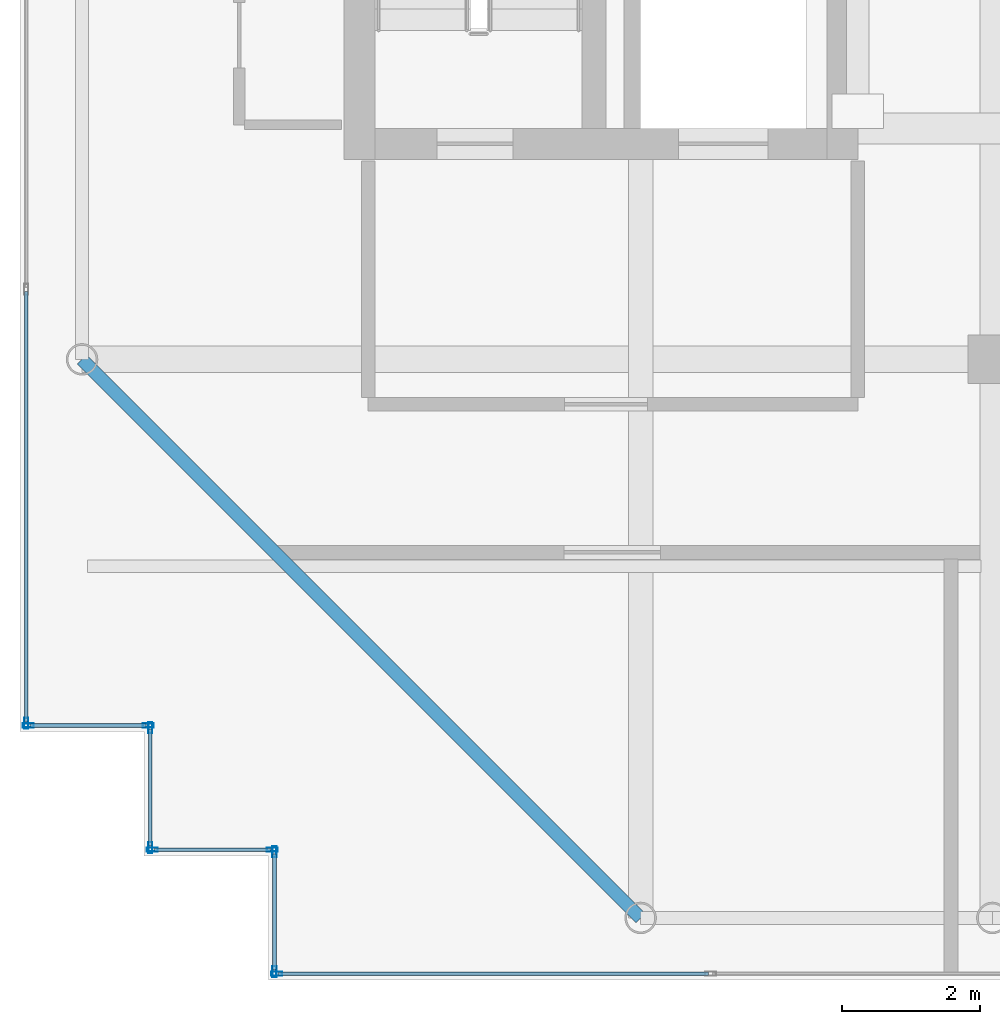
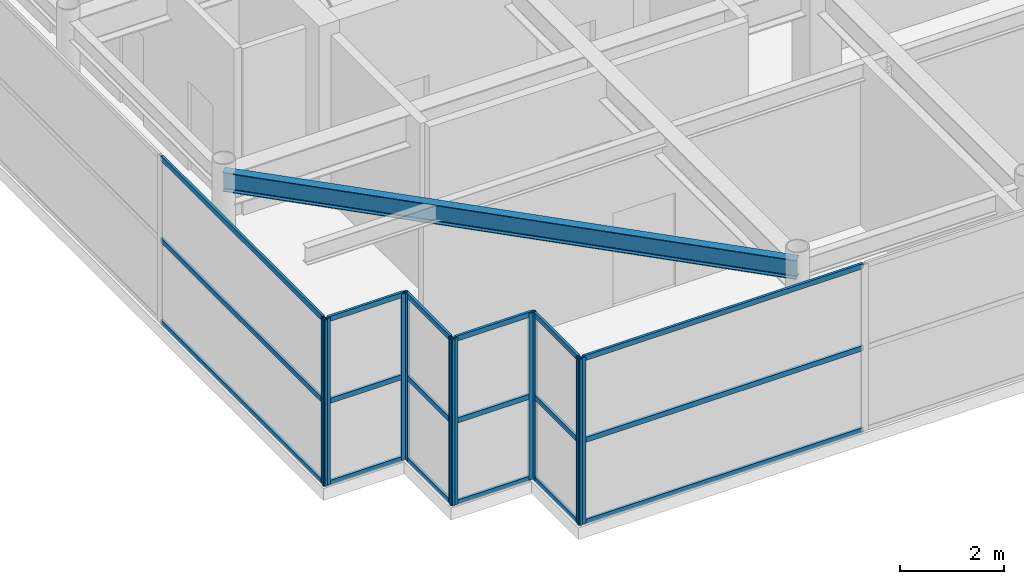
# One storey, part 2 of 33: 28 members, 1 beam, 6 elements without a shape of their own.
"""IFC4 building model written with IfcOpenShell, lengths in metres."""

from ifc_helpers import new_model, si_unit, direction, frame, origin, origin_2d, place, context, subcontext, project, spatial, hollow_rectangle, i_section, extrude, source, transform, mapped, material, layer, layer_set, material_profile, profile_set, type_object, element, aggregate, save


model = new_model("IFC4")

# Units and contexts
model_context = context("Model", 3, precision=1e-05, world=origin(), true_north=direction((0.0, 1.0)))
body_context = subcontext(model_context, "Body", "Model", "MODEL_VIEW")
ifc_project = project(units=[si_unit("LENGTHUNIT", "METRE"), si_unit("AREAUNIT", "SQUARE_METRE"), si_unit("VOLUMEUNIT", "CUBIC_METRE"), si_unit("PLANEANGLEUNIT", "RADIAN"), si_unit("MASSUNIT", "GRAM", prefix="KILO")], contexts=[model_context])

# Site, building, storey
site_placement = place(None, origin())
site = spatial("IfcSite", under=ifc_project, at=site_placement, CompositionType="ELEMENT")
building_placement = place(site_placement, origin())
building = spatial("IfcBuilding", under=site, at=building_placement, Name="Khoralis Quay Care Tower", CompositionType="ELEMENT")
storey_placement = place(building_placement, frame((0.0, 0.0, 302.10009765625)))
storey = spatial("IfcBuildingStorey", under=building, at=storey_placement, Name="L79", CompositionType="ELEMENT", Elevation=302.10009765625)

# Beam
ifc_material_1 = material(Name="Steel S355", Category="steel")
ifc_material_profile_1 = material_profile(ifc_material_1, i_section(OverallWidth=0.18994140625, OverallDepth=0.449951171875, WebThickness=0.009521484375, FlangeThickness=0.0146484375, FilletRadius=0.02099609375, at=origin_2d()), Name="Steel S355")
ifc_profile_set_1 = profile_set([ifc_material_profile_1], Name="Steel S355")
beam_type = type_object("IfcBeamType", Name="BM-IPE450", PredefinedType="SPANDREL", material=ifc_profile_set_1)
shared_shape_1 = source(origin(), body_context, "Body", "SweptSolid", [
    extrude(i_section(OverallWidth=0.18994140625, OverallDepth=0.449951171875, WebThickness=0.009521484375, FlangeThickness=0.0146484375, FilletRadius=0.02099609375, at=origin_2d()), origin(), (0.0, 0.0, 1.0), 11.455322265625),
])
beam_placement = place(storey_placement, frame((12.0, 3.89990234375, 3.69482421875), z_axis=(-0.707106781187, 0.707106781187, 0.0), x_axis=(-0.707106781187, -0.707106781187, 0.0)))
element("IfcBeam", 1, at=beam_placement, inside=storey, type_object=beam_type, Name="BM-TCR-L79-17", PredefinedType="SPANDREL", context=body_context, shape_type="MappedRepresentation", body=[
    mapped(shared_shape_1, transform((0.0, 0.0, 0.0), scale=1.0)),
])

# Curtain wall, members
ifc_material_2 = material(Name="Pale anodised aluminium", Category="aluminium")
ifc_layer = layer(ifc_material_2, 0.199951171875)
ifc_layer_set = layer_set([ifc_layer], Name="Pale anodised aluminium")
curtain_wall_type = type_object("IfcCurtainWallType", Name="CW-SYS-LANTERN", PredefinedType="NOTDEFINED", material=ifc_layer_set)
curtain_wall_1_placement = place(storey_placement, origin())
curtain_wall_1 = element("IfcCurtainWall", 2, at=curtain_wall_1_placement, inside=storey, type_object=curtain_wall_type, Name="L79 Unitised Curtain Wall CW-LN-L79-01", PredefinedType="NOTDEFINED")
ifc_material_profile_2 = material_profile(ifc_material_2, hollow_rectangle(XDim=0.054931640625, YDim=0.1201171875, WallThickness=0.00390625, at=origin_2d()), Name="Pale anodised aluminium")
ifc_profile_set_2 = profile_set([ifc_material_profile_2], Name="Pale anodised aluminium")
member_type_1 = type_object("IfcMemberType", Name="CW-TRN-120", PredefinedType="USERDEFINED", material=ifc_profile_set_2)
shared_shape_2 = source(origin(), body_context, "Body", "SweptSolid", [
    extrude(hollow_rectangle(XDim=0.054931640625, YDim=0.1201171875, WallThickness=0.00390625, at=origin_2d()), origin(), (0.0, 0.0, 1.0), 6.23388671875),
])
member_1_placement = place(storey_placement, frame((6.75, 3.090087890625, 0.02978515625), z_axis=(1.0, 0.0, 0.0), x_axis=(0.0, 1.0, 0.0)))
member_1 = element("IfcMember", 3, at=member_1_placement, type_object=member_type_1, Name="CW5 transom 1.1", ObjectType="TRANSOM", PredefinedType="USERDEFINED", context=body_context, shape_type="MappedRepresentation", body=[
    mapped(shared_shape_2, transform((0.0, 0.0, 0.0), scale=1.0)),
])
member_2_placement = place(storey_placement, frame((6.75, 3.090087890625, 1.9599609375), z_axis=(1.0, 0.0, 0.0), x_axis=(0.0, 1.0, 0.0)))
member_2 = element("IfcMember", 4, at=member_2_placement, type_object=member_type_1, Name="CW5 transom 1.2", ObjectType="TRANSOM", PredefinedType="USERDEFINED", context=body_context, shape_type="MappedRepresentation", body=[
    mapped(shared_shape_2, transform((0.0, 0.0, 0.0), scale=1.0)),
])
member_3_placement = place(storey_placement, frame((6.75, 3.090087890625, 3.889892578125), z_axis=(1.0, 0.0, 0.0), x_axis=(0.0, 1.0, 0.0)))
member_3 = element("IfcMember", 5, at=member_3_placement, type_object=member_type_1, Name="CW5 transom 1.3", ObjectType="TRANSOM", PredefinedType="USERDEFINED", context=body_context, shape_type="MappedRepresentation", body=[
    mapped(shared_shape_2, transform((0.0, 0.0, 0.0), scale=1.0)),
])

curtain_wall_2_placement = place(storey_placement, origin())
curtain_wall_2 = element("IfcCurtainWall", 6, at=curtain_wall_2_placement, inside=storey, type_object=curtain_wall_type, Name="L79 Unitised Curtain Wall CW-LN-L79-16", PredefinedType="NOTDEFINED")
member_4_placement = place(storey_placement, frame((3.090087890625, 12.98388671875, 0.02978515625), z_axis=(0.0, -1.0, 0.0), x_axis=(1.0, 0.0, 0.0)))
member_4 = element("IfcMember", 7, at=member_4_placement, type_object=member_type_1, Name="CW5 transom 5.1", ObjectType="TRANSOM", PredefinedType="USERDEFINED", context=body_context, shape_type="MappedRepresentation", body=[
    mapped(shared_shape_2, transform((0.0, 0.0, 0.0), scale=1.0)),
])
member_5_placement = place(storey_placement, frame((3.090087890625, 12.98388671875, 1.9599609375), z_axis=(0.0, -1.0, 0.0), x_axis=(1.0, 0.0, 0.0)))
member_5 = element("IfcMember", 8, at=member_5_placement, type_object=member_type_1, Name="CW5 transom 5.2", ObjectType="TRANSOM", PredefinedType="USERDEFINED", context=body_context, shape_type="MappedRepresentation", body=[
    mapped(shared_shape_2, transform((0.0, 0.0, 0.0), scale=1.0)),
])
member_6_placement = place(storey_placement, frame((3.090087890625, 12.98388671875, 3.889892578125), z_axis=(0.0, -1.0, 0.0), x_axis=(1.0, 0.0, 0.0)))
member_6 = element("IfcMember", 9, at=member_6_placement, type_object=member_type_1, Name="CW5 transom 5.3", ObjectType="TRANSOM", PredefinedType="USERDEFINED", context=body_context, shape_type="MappedRepresentation", body=[
    mapped(shared_shape_2, transform((0.0, 0.0, 0.0), scale=1.0)),
])

curtain_wall_3_placement = place(storey_placement, origin())
curtain_wall_3 = element("IfcCurtainWall", 10, at=curtain_wall_3_placement, inside=storey, type_object=curtain_wall_type, Name="L79 Unitised Curtain Wall CW-LN-L79-17", PredefinedType="NOTDEFINED")
shared_shape_3 = source(origin(), body_context, "Body", "SweptSolid", [
    extrude(hollow_rectangle(XDim=0.054931640625, YDim=0.1201171875, WallThickness=0.00390625, at=origin_2d()), origin(), (0.0, 0.0, 1.0), 1.68017578125),
])
member_7_placement = place(storey_placement, frame((3.14990234375, 6.68994140625, 0.02978515625), z_axis=(1.0, 0.0, 0.0), x_axis=(0.0, 1.0, 0.0)))
member_7 = element("IfcMember", 11, at=member_7_placement, type_object=member_type_1, Name="CW5 transom 1.1", ObjectType="TRANSOM", PredefinedType="USERDEFINED", context=body_context, shape_type="MappedRepresentation", body=[
    mapped(shared_shape_3, transform((0.0, 0.0, 0.0), scale=1.0)),
])
member_8_placement = place(storey_placement, frame((3.14990234375, 6.68994140625, 1.9599609375), z_axis=(1.0, 0.0, 0.0), x_axis=(0.0, 1.0, 0.0)))
member_8 = element("IfcMember", 12, at=member_8_placement, type_object=member_type_1, Name="CW5 transom 1.2", ObjectType="TRANSOM", PredefinedType="USERDEFINED", context=body_context, shape_type="MappedRepresentation", body=[
    mapped(shared_shape_3, transform((0.0, 0.0, 0.0), scale=1.0)),
])
member_9_placement = place(storey_placement, frame((3.14990234375, 6.68994140625, 3.889892578125), z_axis=(1.0, 0.0, 0.0), x_axis=(0.0, 1.0, 0.0)))
member_9 = element("IfcMember", 13, at=member_9_placement, type_object=member_type_1, Name="CW5 transom 1.3", ObjectType="TRANSOM", PredefinedType="USERDEFINED", context=body_context, shape_type="MappedRepresentation", body=[
    mapped(shared_shape_3, transform((0.0, 0.0, 0.0), scale=1.0)),
])

curtain_wall_4_placement = place(storey_placement, origin())
curtain_wall_4 = element("IfcCurtainWall", 14, at=curtain_wall_4_placement, inside=storey, type_object=curtain_wall_type, Name="L79 Unitised Curtain Wall CW-LN-L79-20", PredefinedType="NOTDEFINED")
member_10_placement = place(storey_placement, frame((6.68994140625, 4.830078125, 0.02978515625), z_axis=(0.0, -1.0, 0.0), x_axis=(1.0, 0.0, 0.0)))
member_10 = element("IfcMember", 15, at=member_10_placement, type_object=member_type_1, Name="CW5 transom 1.1", ObjectType="TRANSOM", PredefinedType="USERDEFINED", context=body_context, shape_type="MappedRepresentation", body=[
    mapped(shared_shape_3, transform((0.0, 0.0, 0.0), scale=1.0)),
])
member_11_placement = place(storey_placement, frame((6.68994140625, 4.830078125, 1.9599609375), z_axis=(0.0, -1.0, 0.0), x_axis=(1.0, 0.0, 0.0)))
member_11 = element("IfcMember", 16, at=member_11_placement, type_object=member_type_1, Name="CW5 transom 1.2", ObjectType="TRANSOM", PredefinedType="USERDEFINED", context=body_context, shape_type="MappedRepresentation", body=[
    mapped(shared_shape_3, transform((0.0, 0.0, 0.0), scale=1.0)),
])
member_12_placement = place(storey_placement, frame((6.68994140625, 4.830078125, 3.889892578125), z_axis=(0.0, -1.0, 0.0), x_axis=(1.0, 0.0, 0.0)))
member_12 = element("IfcMember", 17, at=member_12_placement, type_object=member_type_1, Name="CW5 transom 1.3", ObjectType="TRANSOM", PredefinedType="USERDEFINED", context=body_context, shape_type="MappedRepresentation", body=[
    mapped(shared_shape_3, transform((0.0, 0.0, 0.0), scale=1.0)),
])

curtain_wall_5_placement = place(storey_placement, origin())
curtain_wall_5 = element("IfcCurtainWall", 18, at=curtain_wall_5_placement, inside=storey, type_object=curtain_wall_type, Name="L79 Unitised Curtain Wall CW-LN-L79-18", PredefinedType="NOTDEFINED")
shared_shape_4 = source(origin(), body_context, "Body", "SweptSolid", [
    extrude(hollow_rectangle(XDim=0.054931640625, YDim=0.1201171875, WallThickness=0.00390625, at=origin_2d()), origin(), (0.0, 0.0, 1.0), 1.679931640625),
])
member_13_placement = place(storey_placement, frame((4.889892578125, 6.6298828125, 0.02978515625), z_axis=(0.0, -1.0, 0.0), x_axis=(1.0, 0.0, 0.0)))
member_13 = element("IfcMember", 19, at=member_13_placement, type_object=member_type_1, Name="CW5 transom 1.1", ObjectType="TRANSOM", PredefinedType="USERDEFINED", context=body_context, shape_type="MappedRepresentation", body=[
    mapped(shared_shape_4, transform((0.0, 0.0, 0.0), scale=1.0)),
])
member_14_placement = place(storey_placement, frame((4.889892578125, 6.6298828125, 1.9599609375), z_axis=(0.0, -1.0, 0.0), x_axis=(1.0, 0.0, 0.0)))
member_14 = element("IfcMember", 20, at=member_14_placement, type_object=member_type_1, Name="CW5 transom 1.2", ObjectType="TRANSOM", PredefinedType="USERDEFINED", context=body_context, shape_type="MappedRepresentation", body=[
    mapped(shared_shape_4, transform((0.0, 0.0, 0.0), scale=1.0)),
])
member_15_placement = place(storey_placement, frame((4.889892578125, 6.6298828125, 3.889892578125), z_axis=(0.0, -1.0, 0.0), x_axis=(1.0, 0.0, 0.0)))
member_15 = element("IfcMember", 21, at=member_15_placement, type_object=member_type_1, Name="CW5 transom 1.3", ObjectType="TRANSOM", PredefinedType="USERDEFINED", context=body_context, shape_type="MappedRepresentation", body=[
    mapped(shared_shape_4, transform((0.0, 0.0, 0.0), scale=1.0)),
])

curtain_wall_6_placement = place(storey_placement, origin())
curtain_wall_6 = element("IfcCurtainWall", 22, at=curtain_wall_6_placement, inside=storey, type_object=curtain_wall_type, Name="L79 Unitised Curtain Wall CW-LN-L79-19", PredefinedType="NOTDEFINED")
member_16_placement = place(storey_placement, frame((4.949951171875, 4.889892578125, 0.02978515625), z_axis=(1.0, 0.0, 0.0), x_axis=(0.0, 1.0, 0.0)))
member_16 = element("IfcMember", 23, at=member_16_placement, type_object=member_type_1, Name="CW5 transom 1.1", ObjectType="TRANSOM", PredefinedType="USERDEFINED", context=body_context, shape_type="MappedRepresentation", body=[
    mapped(shared_shape_4, transform((0.0, 0.0, 0.0), scale=1.0)),
])
member_17_placement = place(storey_placement, frame((4.949951171875, 4.889892578125, 1.9599609375), z_axis=(1.0, 0.0, 0.0), x_axis=(0.0, 1.0, 0.0)))
member_17 = element("IfcMember", 24, at=member_17_placement, type_object=member_type_1, Name="CW5 transom 1.2", ObjectType="TRANSOM", PredefinedType="USERDEFINED", context=body_context, shape_type="MappedRepresentation", body=[
    mapped(shared_shape_4, transform((0.0, 0.0, 0.0), scale=1.0)),
])
member_18_placement = place(storey_placement, frame((4.949951171875, 4.889892578125, 3.889892578125), z_axis=(1.0, 0.0, 0.0), x_axis=(0.0, 1.0, 0.0)))
member_18 = element("IfcMember", 25, at=member_18_placement, type_object=member_type_1, Name="CW5 transom 1.3", ObjectType="TRANSOM", PredefinedType="USERDEFINED", context=body_context, shape_type="MappedRepresentation", body=[
    mapped(shared_shape_4, transform((0.0, 0.0, 0.0), scale=1.0)),
])

# Member
ifc_material_profile_3 = material_profile(ifc_material_2, hollow_rectangle(XDim=0.06005859375, YDim=0.159912109375, WallThickness=0.00390625, at=origin_2d()), Name="Pale anodised aluminium")
ifc_profile_set_3 = profile_set([ifc_material_profile_3], Name="Pale anodised aluminium")
member_type_2 = type_object("IfcMemberType", Name="CW-MUL-160", PredefinedType="MULLION", material=ifc_profile_set_3)
shared_shape_5 = source(origin(), body_context, "Body", "SweptSolid", [
    extrude(hollow_rectangle(XDim=0.06005859375, YDim=0.159912109375, WallThickness=0.00390625, at=origin_2d()), origin(), (0.0, 0.0, 1.0), 3.919921875),
])
member_19_placement = place(storey_placement, frame((6.719970703125, 3.090087890625, 0.0), z_axis=(0.0, 0.0, 1.0), x_axis=(0.0, 1.0, 0.0)))
member_19 = element("IfcMember", 26, at=member_19_placement, type_object=member_type_2, Name="CW5 mullion 1", PredefinedType="MULLION", context=body_context, shape_type="MappedRepresentation", body=[
    mapped(shared_shape_5, transform((0.0, 0.0, 0.0), scale=1.0)),
])

aggregate(curtain_wall_1, [member_19, member_1, member_2, member_3])

member_20_placement = place(storey_placement, frame((3.090087890625, 6.719970703125, 0.0), z_axis=(0.0, 0.0, 1.0), x_axis=(1.0, 0.0, 0.0)))
member_20 = element("IfcMember", 27, at=member_20_placement, type_object=member_type_2, Name="CW5 mullion 6", PredefinedType="MULLION", context=body_context, shape_type="MappedRepresentation", body=[
    mapped(shared_shape_5, transform((0.0, 0.0, 0.0), scale=1.0)),
])

aggregate(curtain_wall_2, [member_20, member_4, member_5, member_6])

member_21_placement = place(storey_placement, frame((3.1201171875, 6.68994140625, 0.0), z_axis=(0.0, 0.0, 1.0), x_axis=(0.0, 1.0, 0.0)))
member_21 = element("IfcMember", 28, at=member_21_placement, type_object=member_type_2, Name="CW5 mullion 1", PredefinedType="MULLION", context=body_context, shape_type="MappedRepresentation", body=[
    mapped(shared_shape_5, transform((0.0, 0.0, 0.0), scale=1.0)),
])

member_22_placement = place(storey_placement, frame((4.860107421875, 6.68994140625, 0.0), z_axis=(0.0, 0.0, 1.0), x_axis=(0.0, 1.0, 0.0)))
member_22 = element("IfcMember", 29, at=member_22_placement, type_object=member_type_2, Name="CW5 mullion 2", PredefinedType="MULLION", context=body_context, shape_type="MappedRepresentation", body=[
    mapped(shared_shape_5, transform((0.0, 0.0, 0.0), scale=1.0)),
])

aggregate(curtain_wall_3, [member_21, member_22, member_7, member_8, member_9])

member_23_placement = place(storey_placement, frame((4.889892578125, 6.659912109375, 0.0), z_axis=(0.0, 0.0, 1.0), x_axis=(1.0, 0.0, 0.0)))
member_23 = element("IfcMember", 30, at=member_23_placement, type_object=member_type_2, Name="CW5 mullion 1", PredefinedType="MULLION", context=body_context, shape_type="MappedRepresentation", body=[
    mapped(shared_shape_5, transform((0.0, 0.0, 0.0), scale=1.0)),
])

member_24_placement = place(storey_placement, frame((4.889892578125, 4.919921875, 0.0), z_axis=(0.0, 0.0, 1.0), x_axis=(1.0, 0.0, 0.0)))
member_24 = element("IfcMember", 31, at=member_24_placement, type_object=member_type_2, Name="CW5 mullion 2", PredefinedType="MULLION", context=body_context, shape_type="MappedRepresentation", body=[
    mapped(shared_shape_5, transform((0.0, 0.0, 0.0), scale=1.0)),
])

aggregate(curtain_wall_5, [member_23, member_24, member_13, member_14, member_15])

member_25_placement = place(storey_placement, frame((4.919921875, 4.889892578125, 0.0), z_axis=(0.0, 0.0, 1.0), x_axis=(0.0, 1.0, 0.0)))
member_25 = element("IfcMember", 32, at=member_25_placement, type_object=member_type_2, Name="CW5 mullion 1", PredefinedType="MULLION", context=body_context, shape_type="MappedRepresentation", body=[
    mapped(shared_shape_5, transform((0.0, 0.0, 0.0), scale=1.0)),
])

member_26_placement = place(storey_placement, frame((6.659912109375, 4.889892578125, 0.0), z_axis=(0.0, 0.0, 1.0), x_axis=(0.0, 1.0, 0.0)))
member_26 = element("IfcMember", 33, at=member_26_placement, type_object=member_type_2, Name="CW5 mullion 2", PredefinedType="MULLION", context=body_context, shape_type="MappedRepresentation", body=[
    mapped(shared_shape_5, transform((0.0, 0.0, 0.0), scale=1.0)),
])

aggregate(curtain_wall_6, [member_25, member_26, member_16, member_17, member_18])

member_27_placement = place(storey_placement, frame((6.68994140625, 4.860107421875, 0.0), z_axis=(0.0, 0.0, 1.0), x_axis=(1.0, 0.0, 0.0)))
member_27 = element("IfcMember", 34, at=member_27_placement, type_object=member_type_2, Name="CW5 mullion 1", PredefinedType="MULLION", context=body_context, shape_type="MappedRepresentation", body=[
    mapped(shared_shape_5, transform((0.0, 0.0, 0.0), scale=1.0)),
])

member_28_placement = place(storey_placement, frame((6.68994140625, 3.1201171875, 0.0), z_axis=(0.0, 0.0, 1.0), x_axis=(1.0, 0.0, 0.0)))
member_28 = element("IfcMember", 35, at=member_28_placement, type_object=member_type_2, Name="CW5 mullion 2", PredefinedType="MULLION", context=body_context, shape_type="MappedRepresentation", body=[
    mapped(shared_shape_5, transform((0.0, 0.0, 0.0), scale=1.0)),
])

aggregate(curtain_wall_4, [member_27, member_28, member_10, member_11, member_12])

save(model, "model.ifc")
